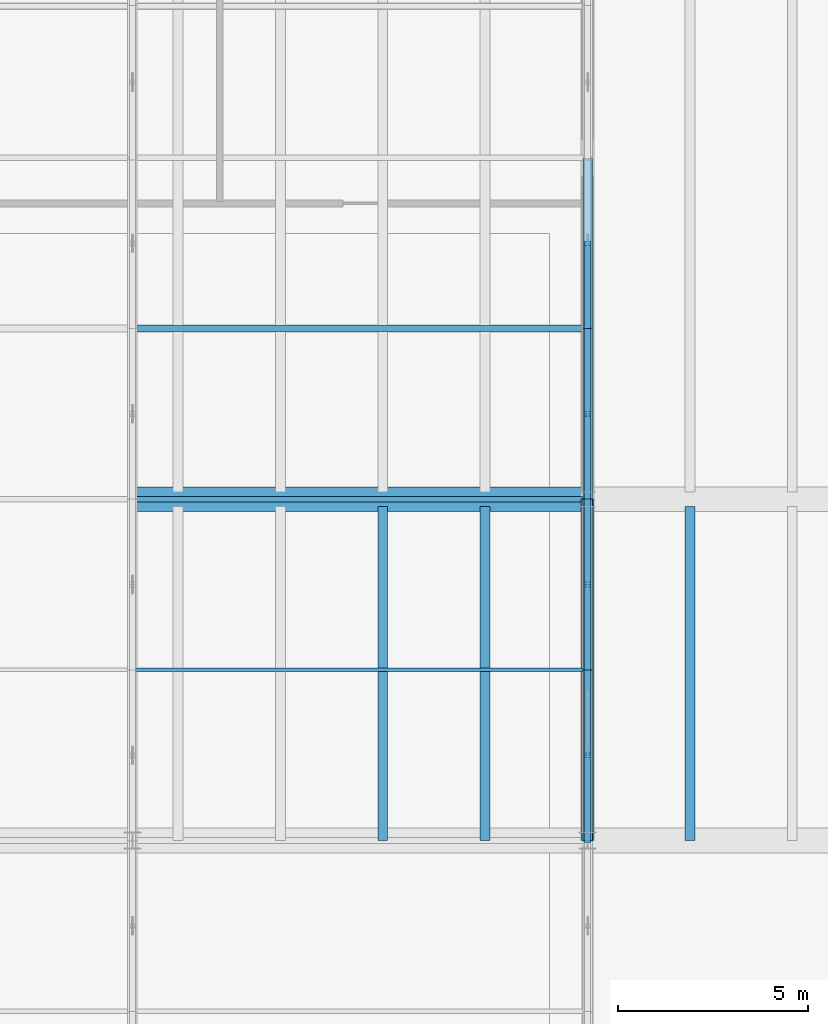
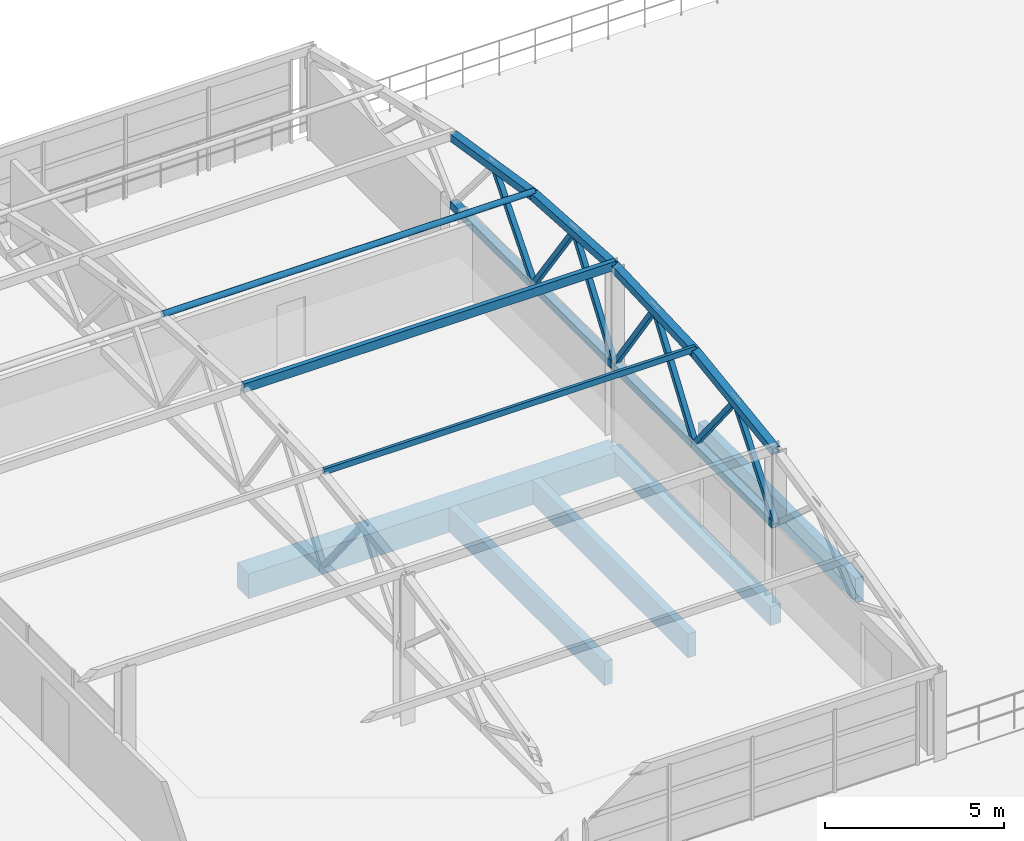
# One storey, part 21 of 50: 18 members, 5 beams.
"""IFC4 building model written with IfcOpenShell, lengths in metres."""

from ifc_helpers import new_model, si_unit, derived_unit, direction, frame, origin, origin_2d, place, context, subcontext, project, spatial, rectangle, hollow_rectangle, hollow_circle, extrude, material, material_profile, profile_set, type_object, element, save


model = new_model("IFC4")

# Units and contexts
model_context = context("Model", 3, precision=1e-05, world=origin(), true_north=direction((0.0, 1.0)))
body_context = subcontext(model_context, "Body", "Model", "MODEL_VIEW")
ifc_project = project(units=[si_unit("LENGTHUNIT", "METRE"), si_unit("AREAUNIT", "SQUARE_METRE"), si_unit("VOLUMEUNIT", "CUBIC_METRE"), si_unit("PLANEANGLEUNIT", "RADIAN"), si_unit("MASSUNIT", "GRAM", prefix="KILO"), si_unit("THERMODYNAMICTEMPERATUREUNIT", "KELVIN"), derived_unit("THERMALTRANSMITTANCEUNIT", [(si_unit("POWERUNIT", "WATT"), 1), (si_unit("AREAUNIT", "SQUARE_METRE"), -1), (si_unit("THERMODYNAMICTEMPERATUREUNIT", "KELVIN"), -1)])], contexts=[model_context])

# Site, building, storey
site_placement = place(None, origin())
site = spatial("IfcSite", under=ifc_project, at=site_placement, CompositionType="ELEMENT")
building_placement = place(site_placement, origin())
building = spatial("IfcBuilding", under=site, at=building_placement, Name="Haiyu Intermodal Mobility Hub", CompositionType="ELEMENT")
storey_placement = place(building_placement, frame((0.0, 0.0, 25.10009765625)))
storey = spatial("IfcBuildingStorey", under=building, at=storey_placement, Name="L06", CompositionType="ELEMENT", Elevation=25.10009765625)

# Beams
ifc_material_1 = material(Name="Concrete C40", Category="concrete")
ifc_material_profile_1 = material_profile(ifc_material_1, rectangle(XDim=0.35009765625, YDim=0.64990234375, at=origin_2d()), Name="RCB350x650")
ifc_profile_set_1 = profile_set([ifc_material_profile_1], Name="Concrete C40")
beam_type_1 = type_object("IfcBeamType", Name="BM-CB04", PredefinedType="BEAM", material=ifc_profile_set_1)
beam_1_placement = place(storey_placement, frame((108.0, 122.0, -0.60498046875), z_axis=(0.0, 1.0, 0.0), x_axis=(-1.0, 0.0, 0.0)))
element("IfcBeam", 1, at=beam_1_placement, inside=storey, type_object=beam_type_1, Name="BM-V4E-L06-005", PredefinedType="BEAM", context=body_context, shape_type="SweptSolid", body=[
    extrude(rectangle(XDim=0.35009765625, YDim=0.64990234375, at=origin_2d()), origin(), (0.0, 0.0, 1.0), 9.0),
])
ifc_material_2 = material(Name="Precast concrete C50", Category="concrete")
ifc_material_profile_2 = material_profile(ifc_material_2, rectangle(XDim=0.260009765625, YDim=0.820068359375, at=origin_2d()), Name="PC260x820")
ifc_profile_set_2 = profile_set([ifc_material_profile_2], Name="Precast concrete C50")
beam_type_2 = type_object("IfcBeamType", Name="BM-DT04", PredefinedType="JOIST", material=ifc_profile_set_2)
for number, where, z_axis, x_axis, name in (
    (2, (102.60009765625, 122.0, -0.690185546875), (0.0, 1.0, 0.0), (-1.0, 0.0, 0.0), "BM-DT-L06-009"),
    (3, (105.300048828125, 122.0, -0.690185546875), (0.0, 1.0, 0.0), (-1.0, 0.0, 0.0), "BM-DT-L06-011"),
    (4, (110.699951171875, 122.0, -0.690185546875), (0.0, 1.0, 0.0), (-1.0, 0.0, 0.0), "BM-DT-L06-013"),
):
    element("IfcBeam", number, at=place(storey_placement, frame(where, z_axis=z_axis, x_axis=x_axis)), inside=storey, type_object=beam_type_2, Name=name, PredefinedType="JOIST", context=body_context, shape_type="SweptSolid", body=[
        extrude(rectangle(XDim=0.260009765625, YDim=0.820068359375, at=origin_2d()), origin(), (0.0, 0.0, 1.0), 8.804931640625),
    ])
ifc_material_profile_3 = material_profile(ifc_material_2, rectangle(XDim=0.64990234375, YDim=0.85009765625, at=origin_2d()), Name="PC650x850")
ifc_profile_set_3 = profile_set([ifc_material_profile_3], Name="Precast concrete C50")
beam_type_3 = type_object("IfcBeamType", Name="BM-IT03", PredefinedType="T_BEAM", material=ifc_profile_set_3)
beam_2_placement = place(storey_placement, frame((96.0, 131.0, -0.705078125), z_axis=(1.0, 0.0, 0.0), x_axis=(0.0, 1.0, 0.0)))
element("IfcBeam", 5, at=beam_2_placement, inside=storey, type_object=beam_type_3, Name="BM-V4G-L06-035", PredefinedType="T_BEAM", context=body_context, shape_type="SweptSolid", body=[
    extrude(rectangle(XDim=0.64990234375, YDim=0.85009765625, at=origin_2d()), origin(), (0.0, 0.0, 1.0), 12.0),
])

# Members
ifc_material_3 = material(Name="Steel Q355C", Category="steel")
ifc_material_profile_4 = material_profile(ifc_material_3, hollow_rectangle(XDim=0.25, YDim=0.25, WallThickness=0.010009765625, at=origin_2d()), Name="SHS250x250x10")
ifc_profile_set_4 = profile_set([ifc_material_profile_4], Name="Steel Q355C")
member_type_1 = type_object("IfcMemberType", Name="MEM-CH01", PredefinedType="CHORD", material=ifc_profile_set_4)
member_1_placement = place(storey_placement, frame((108.0, 122.0, 4.991943359375), z_axis=(0.0, 0.990345287577, 0.138622550019), x_axis=(-1.0, 0.0, 0.0)))
element("IfcMember", 6, at=member_1_placement, inside=storey, type_object=member_type_1, Name="MEM-PAV-TC-043", PredefinedType="CHORD", context=body_context, shape_type="SweptSolid", body=[
    extrude(hollow_rectangle(XDim=0.25, YDim=0.25, WallThickness=0.010009765625, at=origin_2d()), origin(), (0.0, 0.0, 1.0), 4.5439453125),
])
member_2_placement = place(storey_placement, frame((108.0, 122.0, 2.5), z_axis=(0.0, 1.0, 0.0), x_axis=(-1.0, 0.0, 0.0)))
element("IfcMember", 7, at=member_2_placement, inside=storey, type_object=member_type_1, Name="MEM-PAV-BC-043", PredefinedType="CHORD", context=body_context, shape_type="SweptSolid", body=[
    extrude(hollow_rectangle(XDim=0.25, YDim=0.25, WallThickness=0.010009765625, at=origin_2d()), origin(), (0.0, 0.0, 1.0), 4.5),
])
member_3_placement = place(storey_placement, frame((108.0, 126.5, 5.621826171875), z_axis=(0.0, 0.999155473928, 0.041089401543), x_axis=(-1.0, 0.0, 0.0)))
element("IfcMember", 8, at=member_3_placement, inside=storey, type_object=member_type_1, Name="MEM-PAV-TC-044", PredefinedType="CHORD", context=body_context, shape_type="SweptSolid", body=[
    extrude(hollow_rectangle(XDim=0.25, YDim=0.25, WallThickness=0.010009765625, at=origin_2d()), origin(), (0.0, 0.0, 1.0), 4.50390625),
])
member_4_placement = place(storey_placement, frame((108.0, 126.5, 2.5), z_axis=(0.0, 1.0, 0.0), x_axis=(-1.0, 0.0, 0.0)))
element("IfcMember", 9, at=member_4_placement, inside=storey, type_object=member_type_1, Name="MEM-PAV-BC-044", PredefinedType="CHORD", context=body_context, shape_type="SweptSolid", body=[
    extrude(hollow_rectangle(XDim=0.25, YDim=0.25, WallThickness=0.010009765625, at=origin_2d()), origin(), (0.0, 0.0, 1.0), 4.5),
])
member_5_placement = place(storey_placement, frame((108.0, 131.0, 5.806884765625), z_axis=(0.0, 0.997943223953, -0.064103991816), x_axis=(-1.0, 0.0, 0.0)))
element("IfcMember", 10, at=member_5_placement, inside=storey, type_object=member_type_1, Name="MEM-PAV-TC-045", PredefinedType="CHORD", context=body_context, shape_type="SweptSolid", body=[
    extrude(hollow_rectangle(XDim=0.25, YDim=0.25, WallThickness=0.010009765625, at=origin_2d()), origin(), (0.0, 0.0, 1.0), 4.50927734375),
])
member_6_placement = place(storey_placement, frame((108.0, 131.0, 2.5), z_axis=(0.0, 1.0, 0.0), x_axis=(-1.0, 0.0, 0.0)))
element("IfcMember", 11, at=member_6_placement, inside=storey, type_object=member_type_1, Name="MEM-PAV-BC-045", PredefinedType="CHORD", context=body_context, shape_type="SweptSolid", body=[
    extrude(hollow_rectangle(XDim=0.25, YDim=0.25, WallThickness=0.010009765625, at=origin_2d()), origin(), (0.0, 0.0, 1.0), 4.5),
])
member_7_placement = place(storey_placement, frame((108.0, 135.5, 5.517822265625), z_axis=(0.0, 0.987541733158, -0.157357317181), x_axis=(-1.0, 0.0, 0.0)))
element("IfcMember", 12, at=member_7_placement, inside=storey, type_object=member_type_1, Name="MEM-PAV-TC-046", PredefinedType="CHORD", context=body_context, shape_type="SweptSolid", body=[
    extrude(hollow_rectangle(XDim=0.25, YDim=0.25, WallThickness=0.010009765625, at=origin_2d()), origin(), (0.0, 0.0, 1.0), 4.556884765625),
])
member_8_placement = place(storey_placement, frame((108.0, 135.5, 2.5), z_axis=(0.0, 1.0, 0.0), x_axis=(-1.0, 0.0, 0.0)))
element("IfcMember", 13, at=member_8_placement, inside=storey, type_object=member_type_1, Name="MEM-PAV-BC-046", PredefinedType="CHORD", context=body_context, shape_type="SweptSolid", body=[
    extrude(hollow_rectangle(XDim=0.25, YDim=0.25, WallThickness=0.010009765625, at=origin_2d()), origin(), (0.0, 0.0, 1.0), 4.5),
])
ifc_material_profile_5 = material_profile(ifc_material_3, hollow_rectangle(XDim=0.159912109375, YDim=0.159912109375, WallThickness=0.006103515625, at=origin_2d()), Name="SHS160x160x6")
ifc_profile_set_5 = profile_set([ifc_material_profile_5], Name="Steel Q355C")
member_type_2 = type_object("IfcMemberType", Name="MEM-CH03", PredefinedType="CHORD", material=ifc_profile_set_5)
for number, where, z_axis, x_axis, name in (
    (14, (108.0, 122.0, 2.5), (0.0, 0.625456177782, 0.780259296436), (-1.0, 0.0, 0.0), "MEM-PAV-D1-043"),
    (15, (108.0, 124.25, 5.306884765625), (0.0, 0.625456177782, -0.780259296436), (-1.0, 0.0, 0.0), "MEM-PAV-D2-043"),
):
    element("IfcMember", number, at=place(storey_placement, frame(where, z_axis=z_axis, x_axis=x_axis)), inside=storey, type_object=member_type_2, Name=name, PredefinedType="CHORD", context=body_context, shape_type="SweptSolid", body=[
        extrude(hollow_rectangle(XDim=0.159912109375, YDim=0.159912109375, WallThickness=0.006103515625, at=origin_2d()), origin(), (0.0, 0.0, 1.0), 3.597412109375),
    ])
for number, where, z_axis, x_axis, name in (
    (16, (108.0, 126.5, 2.5), (0.0, 0.573395531829, 0.819278685234), (-1.0, 0.0, 0.0), "MEM-PAV-D1-044"),
    (17, (108.0, 128.75, 5.71484375), (0.0, 0.573395531829, -0.819278685234), (-1.0, 0.0, 0.0), "MEM-PAV-D2-044"),
):
    element("IfcMember", number, at=place(storey_placement, frame(where, z_axis=z_axis, x_axis=x_axis)), inside=storey, type_object=member_type_2, Name=name, PredefinedType="CHORD", context=body_context, shape_type="SweptSolid", body=[
        extrude(hollow_rectangle(XDim=0.159912109375, YDim=0.159912109375, WallThickness=0.006103515625, at=origin_2d()), origin(), (0.0, 0.0, 1.0), 3.924072265625),
    ])
for number, where, z_axis, x_axis, name in (
    (18, (108.0, 131.0, 2.5), (0.0, 0.579791164583, 0.814765122886), (-1.0, 0.0, 0.0), "MEM-PAV-D1-045"),
    (19, (108.0, 133.25, 5.661865234375), (0.0, 0.579791164583, -0.814765122886), (-1.0, 0.0, 0.0), "MEM-PAV-D2-045"),
):
    element("IfcMember", number, at=place(storey_placement, frame(where, z_axis=z_axis, x_axis=x_axis)), inside=storey, type_object=member_type_2, Name=name, PredefinedType="CHORD", context=body_context, shape_type="SweptSolid", body=[
        extrude(hollow_rectangle(XDim=0.159912109375, YDim=0.159912109375, WallThickness=0.006103515625, at=origin_2d()), origin(), (0.0, 0.0, 1.0), 3.880615234375),
    ])
member_9_placement = place(storey_placement, frame((108.0, 135.5, 2.5), z_axis=(0.0, 0.64582600347, 0.763484625413), x_axis=(-1.0, 0.0, 0.0)))
element("IfcMember", 20, at=member_9_placement, inside=storey, type_object=member_type_2, Name="MEM-PAV-D1-046", PredefinedType="CHORD", context=body_context, shape_type="SweptSolid", body=[
    extrude(hollow_rectangle(XDim=0.159912109375, YDim=0.159912109375, WallThickness=0.006103515625, at=origin_2d()), origin(), (0.0, 0.0, 1.0), 3.48388671875),
])
ifc_material_profile_6 = material_profile(ifc_material_3, hollow_rectangle(XDim=0.14990234375, YDim=0.300048828125, WallThickness=0.010009765625, at=origin_2d()), Name="RHS300x150x10")
ifc_profile_set_6 = profile_set([ifc_material_profile_6], Name="Steel Q355C")
member_type_3 = type_object("IfcMemberType", Name="MEM-PR01", PredefinedType="PURLIN", material=ifc_profile_set_6)
member_10_placement = place(storey_placement, frame((96.0, 131.0, 5.89501953125), z_axis=(1.0, 0.0, 0.0), x_axis=(0.0, 1.0, 0.0)))
element("IfcMember", 21, at=member_10_placement, inside=storey, type_object=member_type_3, Name="MEM-PAV-PR-015", PredefinedType="PURLIN", context=body_context, shape_type="SweptSolid", body=[
    extrude(hollow_rectangle(XDim=0.14990234375, YDim=0.300048828125, WallThickness=0.010009765625, at=origin_2d()), origin(), (0.0, 0.0, 1.0), 12.0),
])
ifc_material_profile_7 = material_profile(ifc_material_3, hollow_rectangle(XDim=0.10009765625, YDim=0.199951171875, WallThickness=0.006103515625, at=origin_2d()), Name="RHS200x100x6")
ifc_profile_set_7 = profile_set([ifc_material_profile_7], Name="Steel Q355C")
member_type_4 = type_object("IfcMemberType", Name="MEM-PR03-INT", PredefinedType="PURLIN", material=ifc_profile_set_7)
member_11_placement = place(storey_placement, frame((96.0, 126.5, 5.7578125), z_axis=(1.0, 0.0, 0.0), x_axis=(0.0, 1.0, 0.0)))
element("IfcMember", 22, at=member_11_placement, inside=storey, type_object=member_type_4, Name="MEM-PAV-SPR-010", PredefinedType="PURLIN", context=body_context, shape_type="SweptSolid", body=[
    extrude(hollow_rectangle(XDim=0.10009765625, YDim=0.199951171875, WallThickness=0.006103515625, at=origin_2d()), origin(), (0.0, 0.0, 1.0), 12.0),
])
ifc_material_profile_8 = material_profile(ifc_material_3, hollow_circle(Radius=0.096923828125, WallThickness=0.006103515625, at=origin_2d()), Name="CHS194x6")
ifc_profile_set_8 = profile_set([ifc_material_profile_8], Name="Steel Q355C")
member_type_5 = type_object("IfcMemberType", Name="MEM-PR04-INT", PredefinedType="PURLIN", material=ifc_profile_set_8)
member_12_placement = place(storey_placement, frame((96.0, 135.5, 5.656982421875), z_axis=(1.0, 0.0, 0.0), x_axis=(0.0, 1.0, 0.0)))
element("IfcMember", 23, at=member_12_placement, inside=storey, type_object=member_type_5, Name="MEM-PAV-SPR-015", PredefinedType="PURLIN", context=body_context, shape_type="SweptSolid", body=[
    extrude(hollow_circle(Radius=0.096923828125, WallThickness=0.006103515625, at=origin_2d()), origin(), (0.0, 0.0, 1.0), 12.0),
])

save(model, "model.ifc")
